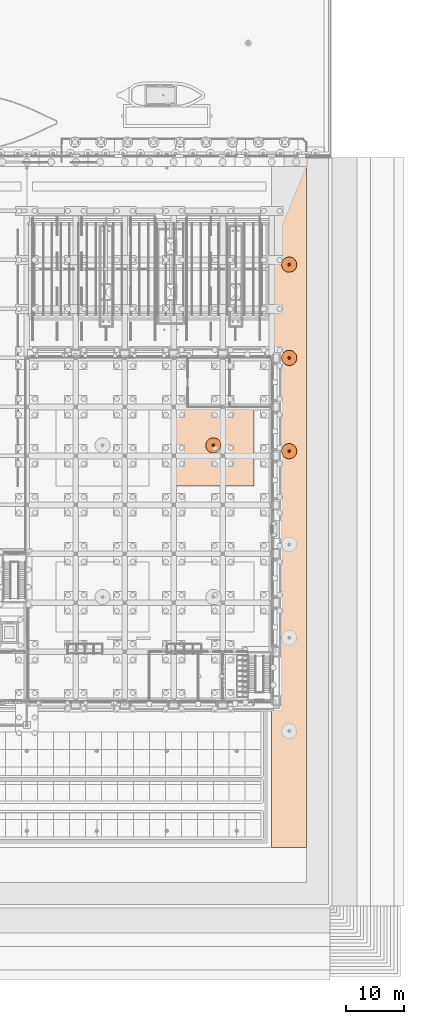
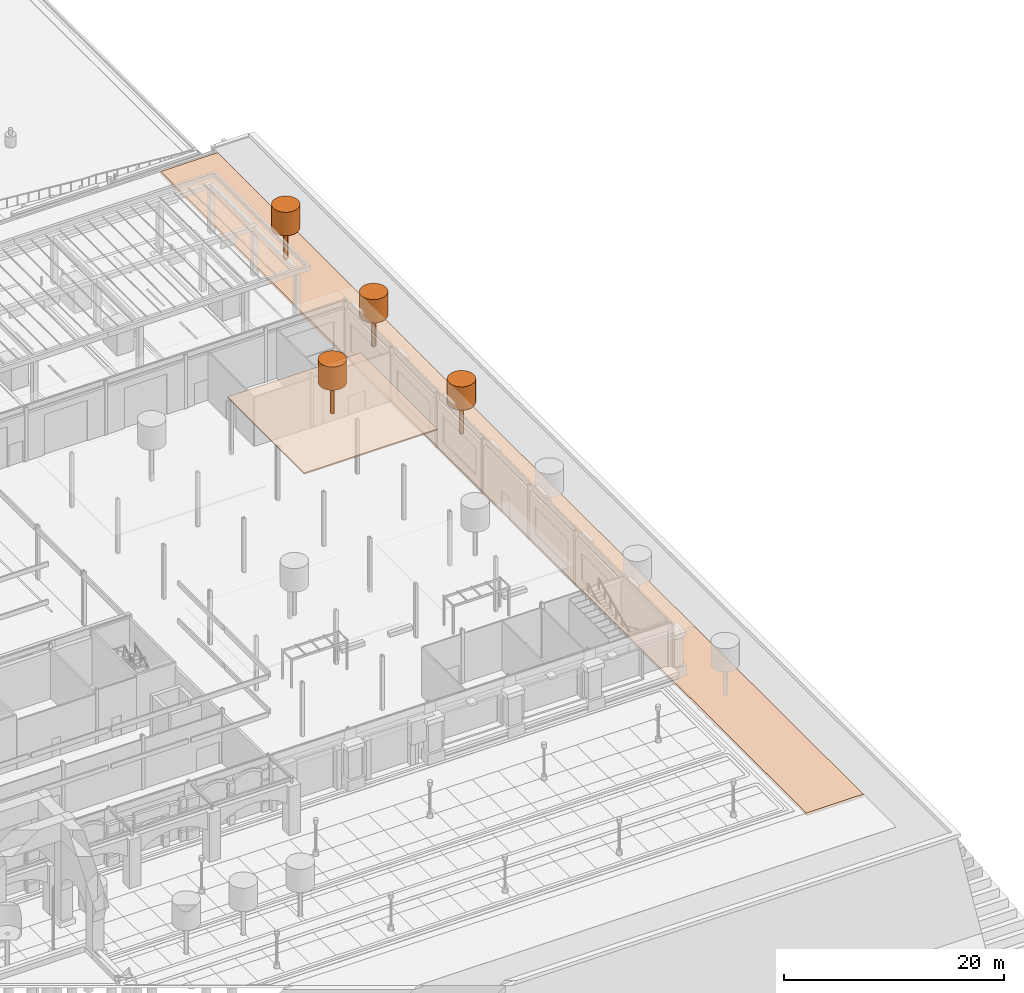
# One storey, part 222 of 222: 10 geographic elements.
"""IFC4 building model written with IfcOpenShell, lengths in metres."""

from ifc_helpers import new_model, si_unit, direction, frame, origin, origin_2d, place, context, subcontext, project, spatial, polyline, circle, outline, extrude, material, type_object, element, save


model = new_model("IFC4")

# Units and contexts
model_context = context("Model", 3, precision=1e-05, world=origin(), true_north=direction((0.0, 1.0)))
body_context = subcontext(model_context, "Body", "Model", "MODEL_VIEW")
ifc_project = project(units=[si_unit("LENGTHUNIT", "METRE"), si_unit("AREAUNIT", "SQUARE_METRE"), si_unit("VOLUMEUNIT", "CUBIC_METRE"), si_unit("PLANEANGLEUNIT", "RADIAN"), si_unit("MASSUNIT", "GRAM", prefix="KILO")], contexts=[model_context])

# Site, building, storey
site_placement = place(None, origin())
site = spatial("IfcSite", under=ifc_project, at=site_placement, CompositionType="ELEMENT")
building_placement = place(site_placement, origin())
building = spatial("IfcBuilding", under=site, at=building_placement, Name="Sava Quay Ferry Terminal", CompositionType="ELEMENT")
storey_placement = place(building_placement, origin())
storey = spatial("IfcBuildingStorey", under=building, at=storey_placement, Name="L00", CompositionType="ELEMENT", Elevation=0.0)

# Geographic elements
ifc_material_1 = material(Name="Turf and topsoil")
geographic_element_type_1 = type_object("IfcGeographicElementType", Name="Lawn bed 150", PredefinedType="TERRAIN", material=ifc_material_1)
geographic_element_1_placement = place(storey_placement, frame((0.0, 0.0, 6.0)))
element("IfcGeographicElement", 1, at=geographic_element_1_placement, inside=storey, type_object=geographic_element_type_1, Name="Roof garden planting bed", PredefinedType="TERRAIN", context=body_context, shape_type="SweptSolid", body=[
    extrude(outline(polyline([(165.0, 62.0), (165.0, 76.0), (151.0, 76.0), (151.0, 62.0), (165.0, 62.0)])), origin(), (0.0, 0.0, 1.0), 0.14990234375),
])
ifc_material_2 = material(Name="Turf and topsoil")
geographic_element_type_2 = type_object("IfcGeographicElementType", Name="Lawn terrain 300", PredefinedType="TERRAIN", material=ifc_material_2)
geographic_element_2_placement = place(storey_placement, frame((0.0, 0.0, -0.300048828125)))
element("IfcGeographicElement", 2, at=geographic_element_2_placement, inside=storey, type_object=geographic_element_type_2, Name="Quay lawn east of the quay deck", PredefinedType="TERRAIN", context=body_context, shape_type="SweptSolid", body=[
    extrude(outline(polyline([(174.0, 0.0), (174.0, 117.60009765625), (168.0, 117.60009765625), (168.0, 0.0), (174.0, 0.0)])), origin(), (0.0, 0.0, 1.0), 0.300048828125),
])
ifc_material_3 = material(Name="Foliage")
geographic_element_type_3 = type_object("IfcGeographicElementType", Name="Tree crown D2600", PredefinedType="USERDEFINED", material=ifc_material_3)
for number, where, z_axis, x_axis, name in (
    (3, (171.0, 68.0, 6.0), (0.0, 0.0, -1.0), (1.0, 0.0, 0.0), "Tree crown"),
    (4, (171.0, 84.0, 6.0), (0.0, 0.0, -1.0), (1.0, 0.0, 0.0), "Tree crown"),
    (5, (171.0, 100.0, 6.0), (0.0, 0.0, -1.0), (1.0, 0.0, 0.0), "Tree crown"),
    (6, (158.0, 69.0, 12.14990234375), (0.0, 0.0, -1.0), (1.0, 0.0, 0.0), "Tree crown"),
):
    element("IfcGeographicElement", number, at=place(storey_placement, frame(where, z_axis=z_axis, x_axis=x_axis)), inside=storey, type_object=geographic_element_type_3, Name=name, ObjectType="TREE CROWN", PredefinedType="USERDEFINED", context=body_context, shape_type="SweptSolid", body=[
        extrude(circle(Radius=1.300048828125, at=origin_2d()), origin(), (0.0, 0.0, 1.0), 2.60009765625),
    ])
ifc_material_4 = material(Name="Timber", Category="wood")
geographic_element_type_4 = type_object("IfcGeographicElementType", Name="Tree trunk D400", PredefinedType="USERDEFINED", material=ifc_material_4)
for number, where, z_axis, x_axis, name in (
    (7, (171.0, 68.0, 3.39990234375), (0.0, 0.0, -1.0), (1.0, 0.0, 0.0), "Tree trunk"),
    (8, (171.0, 84.0, 3.39990234375), (0.0, 0.0, -1.0), (1.0, 0.0, 0.0), "Tree trunk"),
    (9, (171.0, 100.0, 3.39990234375), (0.0, 0.0, -1.0), (1.0, 0.0, 0.0), "Tree trunk"),
    (10, (158.0, 69.0, 9.550048828125), (0.0, 0.0, -1.0), (1.0, 0.0, 0.0), "Tree trunk"),
):
    element("IfcGeographicElement", number, at=place(storey_placement, frame(where, z_axis=z_axis, x_axis=x_axis)), inside=storey, type_object=geographic_element_type_4, Name=name, ObjectType="TREE TRUNK", PredefinedType="USERDEFINED", context=body_context, shape_type="SweptSolid", body=[
        extrude(circle(Radius=0.199951171875, at=origin_2d()), origin(), (0.0, 0.0, 1.0), 3.39990234375),
    ])

save(model, "model.ifc")
